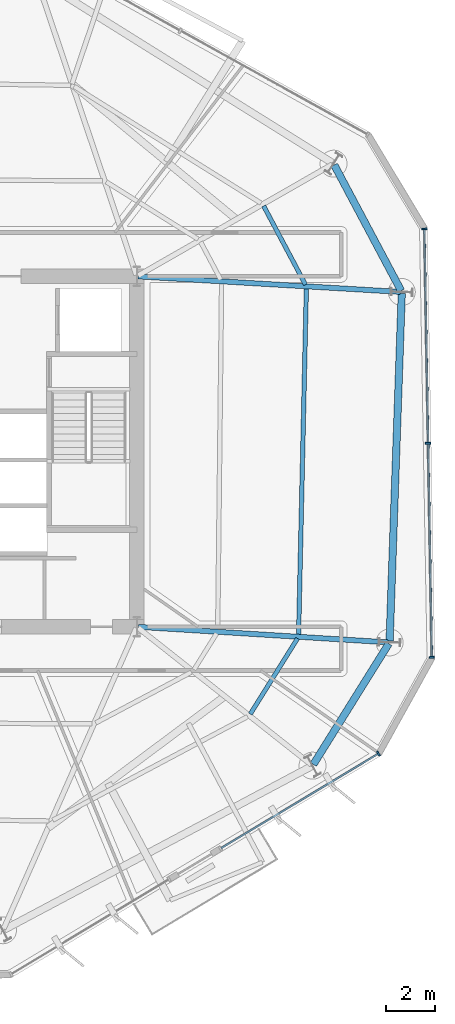
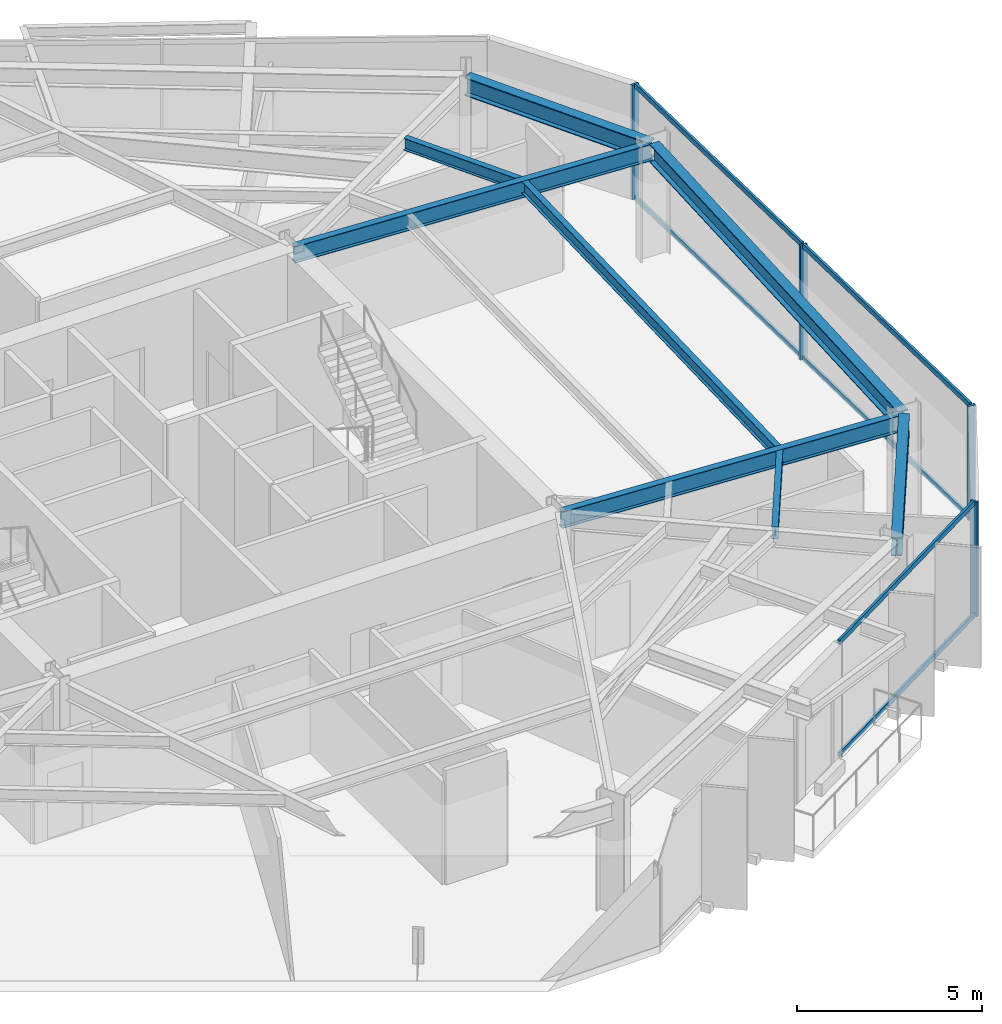
# One storey, part 4 of 11: 10 members, 8 beams, 2 elements without a shape of their own.
"""IFC4 building model written with IfcOpenShell, lengths in metres."""

from ifc_helpers import new_model, si_unit, direction, frame, origin, origin_2d, place, context, subcontext, project, spatial, rectangle, i_section, extrude, material, layer, layer_set, material_profile, profile_set, type_object, element, aggregate, save


model = new_model("IFC4")

# Units and contexts
model_context = context("Model", 3, precision=1e-05, world=origin(), true_north=direction((0.0, 1.0)))
body_context = subcontext(model_context, "Body", "Model", "MODEL_VIEW")
ifc_project = project(units=[si_unit("LENGTHUNIT", "METRE"), si_unit("AREAUNIT", "SQUARE_METRE"), si_unit("VOLUMEUNIT", "CUBIC_METRE"), si_unit("PLANEANGLEUNIT", "RADIAN"), si_unit("MASSUNIT", "GRAM", prefix="KILO")], contexts=[model_context])

# Site, building, storey
site_placement = place(None, origin())
site = spatial("IfcSite", under=ifc_project, at=site_placement, CompositionType="ELEMENT")
building_placement = place(site_placement, origin())
building = spatial("IfcBuilding", under=site, at=building_placement, Name="Kranzbogen Civic Tower", CompositionType="ELEMENT")
storey_placement = place(building_placement, frame((0.0, 0.0, 146.39990234375)))
storey = spatial("IfcBuildingStorey", under=building, at=storey_placement, Name="L35", CompositionType="ELEMENT", Elevation=146.39990234375)

# Curtain wall, member
ifc_material_1 = material(Name="Pale Anodised Aluminium", Category="aluminium")
ifc_layer = layer(ifc_material_1, 0.219970703125, Name="Pale Anodised Aluminium")
ifc_layer_set = layer_set([ifc_layer], Name="Pale Anodised Aluminium")
curtain_wall_type = type_object("IfcCurtainWallType", Name="Zone 2 Stick Curtain Wall System CW-03", PredefinedType="USERDEFINED", material=ifc_layer_set)
curtain_wall_1_placement = place(storey_placement, origin())
curtain_wall_1 = element("IfcCurtainWall", 1, at=curtain_wall_1_placement, inside=storey, type_object=curtain_wall_type, Name="L35 curtain wall CW-L35-F5-S2", ObjectType="STICK CURTAIN WALL", PredefinedType="USERDEFINED")
ifc_material_profile_1 = material_profile(ifc_material_1, rectangle(XDim=0.074951171875, YDim=0.219970703125, at=origin_2d()), Name="ALU-M 75x220")
ifc_profile_set_1 = profile_set([ifc_material_profile_1], Name="Pale Anodised Aluminium")
member_type_1 = type_object("IfcMemberType", Name="Curtain Wall Mullion ALU-M 75x220", PredefinedType="MULLION", material=ifc_profile_set_1)
member_1_placement = place(storey_placement, frame((42.729248046875, 12.58642578125, 0.0), z_axis=(0.0, 0.0, 1.0), x_axis=(0.857134393632, 0.515092837509, 0.0)))
member_1 = element("IfcMember", 2, at=member_1_placement, type_object=member_type_1, Name="CW-03 mullion 2", PredefinedType="MULLION", context=body_context, shape_type="SweptSolid", body=[
    extrude(rectangle(XDim=0.074951171875, YDim=0.219970703125, at=origin_2d()), origin(), (0.0, 0.0, 1.0), 3.760009765625),
])

# Curtain wall, members
curtain_wall_2_placement = place(storey_placement, origin())
curtain_wall_2 = element("IfcCurtainWall", 3, at=curtain_wall_2_placement, inside=storey, type_object=curtain_wall_type, Name="L35 curtain wall CW-L35-F6", ObjectType="STICK CURTAIN WALL", PredefinedType="USERDEFINED")
member_2_placement = place(storey_placement, frame((44.92236328125, 16.5419921875, 0.0), z_axis=(0.0, 0.0, 1.0), x_axis=(-0.017431971008, 0.999848051649, 0.0)))
member_2 = element("IfcMember", 4, at=member_2_placement, type_object=member_type_1, Name="CW-03 mullion 1", PredefinedType="MULLION", context=body_context, shape_type="SweptSolid", body=[
    extrude(rectangle(XDim=0.074951171875, YDim=0.219970703125, at=origin_2d()), origin(), (0.0, 0.0, 1.0), 3.760009765625),
])
member_3_placement = place(storey_placement, frame((44.76904296875, 25.344970703125, 0.0), z_axis=(0.0, 0.0, 1.0), x_axis=(-0.017431971008, 0.999848051649, 0.0)))
member_3 = element("IfcMember", 5, at=member_3_placement, type_object=member_type_1, Name="CW-03 mullion 2", PredefinedType="MULLION", context=body_context, shape_type="SweptSolid", body=[
    extrude(rectangle(XDim=0.074951171875, YDim=0.219970703125, at=origin_2d()), origin(), (0.0, 0.0, 1.0), 3.760009765625),
])
member_4_placement = place(storey_placement, frame((44.615478515625, 34.14794921875, 0.0), z_axis=(0.0, 0.0, 1.0), x_axis=(-0.017431971008, 0.999848051649, 0.0)))
member_4 = element("IfcMember", 6, at=member_4_placement, type_object=member_type_1, Name="CW-03 mullion 3", PredefinedType="MULLION", context=body_context, shape_type="SweptSolid", body=[
    extrude(rectangle(XDim=0.074951171875, YDim=0.219970703125, at=origin_2d()), origin(), (0.0, 0.0, 1.0), 3.760009765625),
])

# Member
ifc_material_profile_2 = material_profile(ifc_material_1, rectangle(XDim=0.074951171875, YDim=0.1650390625, at=origin_2d()), Name="ALU-T 75x165")
ifc_profile_set_2 = profile_set([ifc_material_profile_2], Name="Pale Anodised Aluminium")
member_type_2 = type_object("IfcMemberType", Name="Curtain Wall Transom ALU-T 75x165", PredefinedType="USERDEFINED", material=ifc_profile_set_2)
member_5_placement = place(storey_placement, frame((36.263427734375, 8.700927734375, 0.030029296875), z_axis=(0.857140076693, 0.515083380558, 0.0), x_axis=(-0.515083380558, 0.857140076693, 0.0)))
member_5 = element("IfcMember", 7, at=member_5_placement, type_object=member_type_2, Name="CW-03 transom 1.1", ObjectType="TRANSOM", PredefinedType="USERDEFINED", context=body_context, shape_type="SweptSolid", body=[
    extrude(rectangle(XDim=0.074951171875, YDim=0.1650390625, at=origin_2d()), origin(), (0.0, 0.0, 1.0), 7.513671875),
])

member_6_placement = place(storey_placement, frame((36.263427734375, 8.700927734375, 3.72998046875), z_axis=(0.857140076693, 0.515083380558, 0.0), x_axis=(-0.515083380558, 0.857140076693, 0.0)))
member_6 = element("IfcMember", 8, at=member_6_placement, type_object=member_type_2, Name="CW-03 transom 1.2", ObjectType="TRANSOM", PredefinedType="USERDEFINED", context=body_context, shape_type="SweptSolid", body=[
    extrude(rectangle(XDim=0.074951171875, YDim=0.1650390625, at=origin_2d()), origin(), (0.0, 0.0, 1.0), 7.513671875),
])

aggregate(curtain_wall_1, [member_1, member_5, member_6])

member_7_placement = place(storey_placement, frame((44.921875, 16.572021484375, 0.030029296875), z_axis=(-0.01742216891, 0.999848222497, 0.0), x_axis=(-0.999848222497, -0.01742216891, 0.0)))
member_7 = element("IfcMember", 9, at=member_7_placement, type_object=member_type_2, Name="CW-03 transom 1.1", ObjectType="TRANSOM", PredefinedType="USERDEFINED", context=body_context, shape_type="SweptSolid", body=[
    extrude(rectangle(XDim=0.074951171875, YDim=0.1650390625, at=origin_2d()), origin(), (0.0, 0.0, 1.0), 8.744140625),
])

member_8_placement = place(storey_placement, frame((44.921875, 16.572021484375, 3.72998046875), z_axis=(-0.01742216891, 0.999848222497, 0.0), x_axis=(-0.999848222497, -0.01742216891, 0.0)))
member_8 = element("IfcMember", 10, at=member_8_placement, type_object=member_type_2, Name="CW-03 transom 1.2", ObjectType="TRANSOM", PredefinedType="USERDEFINED", context=body_context, shape_type="SweptSolid", body=[
    extrude(rectangle(XDim=0.074951171875, YDim=0.1650390625, at=origin_2d()), origin(), (0.0, 0.0, 1.0), 8.744140625),
])

member_9_placement = place(storey_placement, frame((44.7685546875, 25.375, 0.030029296875), z_axis=(-0.017450080558, 0.999847735752, 0.0), x_axis=(-0.999847735752, -0.017450080558, 0.0)))
member_9 = element("IfcMember", 11, at=member_9_placement, type_object=member_type_2, Name="CW-03 transom 2.1", ObjectType="TRANSOM", PredefinedType="USERDEFINED", context=body_context, shape_type="SweptSolid", body=[
    extrude(rectangle(XDim=0.074951171875, YDim=0.1650390625, at=origin_2d()), origin(), (0.0, 0.0, 1.0), 8.744140625),
])

member_10_placement = place(storey_placement, frame((44.7685546875, 25.375, 3.72998046875), z_axis=(-0.017450080558, 0.999847735752, 0.0), x_axis=(-0.999847735752, -0.017450080558, 0.0)))
member_10 = element("IfcMember", 12, at=member_10_placement, type_object=member_type_2, Name="CW-03 transom 2.2", ObjectType="TRANSOM", PredefinedType="USERDEFINED", context=body_context, shape_type="SweptSolid", body=[
    extrude(rectangle(XDim=0.074951171875, YDim=0.1650390625, at=origin_2d()), origin(), (0.0, 0.0, 1.0), 8.744140625),
])

aggregate(curtain_wall_2, [member_2, member_3, member_4, member_7, member_8, member_9, member_10])

# Beams
ifc_material_2 = material(Name="Steel S355", Category="steel")
ifc_material_profile_3 = material_profile(ifc_material_2, i_section(OverallWidth=0.300048828125, OverallDepth=0.60009765625, WebThickness=0.015380859375, FlangeThickness=0.030029296875, at=origin_2d()), Name="HEB 600")
ifc_profile_set_3 = profile_set([ifc_material_profile_3], Name="Steel S355")
beam_type_1 = type_object("IfcBeamType", Name="Perimeter Tube Spandrel Beam HEB 600", PredefinedType="SPANDREL", material=ifc_profile_set_3)
beam_1_placement = place(storey_placement, frame((40.054931640625, 12.14306640625, 3.460205078125), z_axis=(0.529863902903, 0.848082687242, 0.0), x_axis=(-0.848082687242, 0.529863902903, 0.0)))
element("IfcBeam", 13, at=beam_1_placement, inside=storey, type_object=beam_type_1, Name="L35 perimeter spandrel beam 05", PredefinedType="SPANDREL", context=body_context, shape_type="SweptSolid", body=[
    extrude(i_section(OverallWidth=0.300048828125, OverallDepth=0.60009765625, WebThickness=0.015380859375, FlangeThickness=0.030029296875, at=origin_2d()), origin(), (0.0, 0.0, 1.0), 5.850830078125),
])
beam_2_placement = place(storey_placement, frame((43.18896484375, 17.216064453125, 3.460205078125), z_axis=(0.034924229103, 0.999389963038, 0.0), x_axis=(-0.999389963038, 0.034924229103, 0.0)))
element("IfcBeam", 14, at=beam_2_placement, inside=storey, type_object=beam_type_1, Name="L35 perimeter spandrel beam 06", PredefinedType="SPANDREL", context=body_context, shape_type="SweptSolid", body=[
    extrude(i_section(OverallWidth=0.300048828125, OverallDepth=0.60009765625, WebThickness=0.015380859375, FlangeThickness=0.030029296875, at=origin_2d()), origin(), (0.0, 0.0, 1.0), 14.288818359375),
])
beam_3_placement = place(storey_placement, frame((43.662109375, 31.60888671875, 3.460205078125), z_axis=(-0.469565926668, 0.882897412224, 0.0), x_axis=(-0.882897412224, -0.469565926668, 0.0)))
element("IfcBeam", 15, at=beam_3_placement, inside=storey, type_object=beam_type_1, Name="L35 perimeter spandrel beam 07", PredefinedType="SPANDREL", context=body_context, shape_type="SweptSolid", body=[
    extrude(i_section(OverallWidth=0.300048828125, OverallDepth=0.60009765625, WebThickness=0.015380859375, FlangeThickness=0.030029296875, at=origin_2d()), origin(), (0.0, 0.0, 1.0), 5.852294921875),
])
ifc_material_profile_4 = material_profile(ifc_material_2, i_section(OverallWidth=0.2099609375, OverallDepth=0.550048828125, WebThickness=0.010986328125, FlangeThickness=0.01708984375, at=origin_2d()), Name="IPE 550")
ifc_profile_set_4 = profile_set([ifc_material_profile_4], Name="Steel S355")
beam_type_2 = type_object("IfcBeamType", Name="Radial Tower Floor Girder IPE 550", PredefinedType="BEAM", material=ifc_profile_set_4)
beam_4_placement = place(storey_placement, frame((43.126953125, 17.159912109375, 3.485107421875), z_axis=(-0.998086872961, 0.061827130147, 0.0), x_axis=(-0.061827130147, -0.998086872961, 0.0)))
element("IfcBeam", 16, at=beam_4_placement, inside=storey, type_object=beam_type_2, Name="L35 radial floor girder 06", PredefinedType="BEAM", context=body_context, shape_type="SweptSolid", body=[
    extrude(i_section(OverallWidth=0.2099609375, OverallDepth=0.550048828125, WebThickness=0.010986328125, FlangeThickness=0.01708984375, at=origin_2d()), origin(), (0.0, 0.0, 1.0), 10.28662109375),
])
beam_5_placement = place(storey_placement, frame((43.6298828125, 31.56005859375, 3.485107421875), z_axis=(-0.998260925387, 0.058950189528, 0.0), x_axis=(-0.058950189528, -0.998260925387, 0.0)))
element("IfcBeam", 17, at=beam_5_placement, inside=storey, type_object=beam_type_2, Name="L35 radial floor girder 07", PredefinedType="BEAM", context=body_context, shape_type="SweptSolid", body=[
    extrude(i_section(OverallWidth=0.2099609375, OverallDepth=0.550048828125, WebThickness=0.010986328125, FlangeThickness=0.01708984375, at=origin_2d()), origin(), (0.0, 0.0, 1.0), 10.78857421875),
])
ifc_material_profile_5 = material_profile(ifc_material_2, i_section(OverallWidth=0.179931640625, OverallDepth=0.39990234375, WebThickness=0.008544921875, FlangeThickness=0.013427734375, at=origin_2d()), Name="IPE 400")
ifc_profile_set_5 = profile_set([ifc_material_profile_5], Name="Steel S355")
beam_type_3 = type_object("IfcBeamType", Name="Secondary Composite Floor Joist IPE 400", PredefinedType="JOIST", material=ifc_profile_set_5)
beam_6_placement = place(storey_placement, frame((37.465087890625, 14.215087890625, 3.56005859375), z_axis=(0.529867065107, 0.848080711557, 0.0), x_axis=(-0.848080711557, 0.529867065107, 0.0)))
element("IfcBeam", 18, at=beam_6_placement, inside=storey, type_object=beam_type_3, Name="L35 secondary floor joist 1.05", PredefinedType="JOIST", context=body_context, shape_type="SweptSolid", body=[
    extrude(i_section(OverallWidth=0.179931640625, OverallDepth=0.39990234375, WebThickness=0.008544921875, FlangeThickness=0.013427734375, at=origin_2d()), origin(), (0.0, 0.0, 1.0), 3.6611328125),
])
beam_7_placement = place(storey_placement, frame((39.448974609375, 17.468017578125, 3.56005859375), z_axis=(0.022402523442, 0.999749031979, 0.0), x_axis=(-0.999749031979, 0.022402523442, 0.0)))
element("IfcBeam", 19, at=beam_7_placement, inside=storey, type_object=beam_type_3, Name="L35 secondary floor joist 1.06", PredefinedType="JOIST", context=body_context, shape_type="SweptSolid", body=[
    extrude(i_section(OverallWidth=0.179931640625, OverallDepth=0.39990234375, WebThickness=0.008544921875, FlangeThickness=0.013427734375, at=origin_2d()), origin(), (0.0, 0.0, 1.0), 14.24365234375),
])
beam_8_placement = place(storey_placement, frame((39.73193359375, 31.85791015625, 3.56005859375), z_axis=(-0.469338791783, 0.88301817565, 0.0), x_axis=(-0.88301817565, -0.469338791783, 0.0)))
element("IfcBeam", 20, at=beam_8_placement, inside=storey, type_object=beam_type_3, Name="L35 secondary floor joist 1.07", PredefinedType="JOIST", context=body_context, shape_type="SweptSolid", body=[
    extrude(i_section(OverallWidth=0.179931640625, OverallDepth=0.39990234375, WebThickness=0.008544921875, FlangeThickness=0.013427734375, at=origin_2d()), origin(), (0.0, 0.0, 1.0), 3.66259765625),
])

save(model, "model.ifc")
